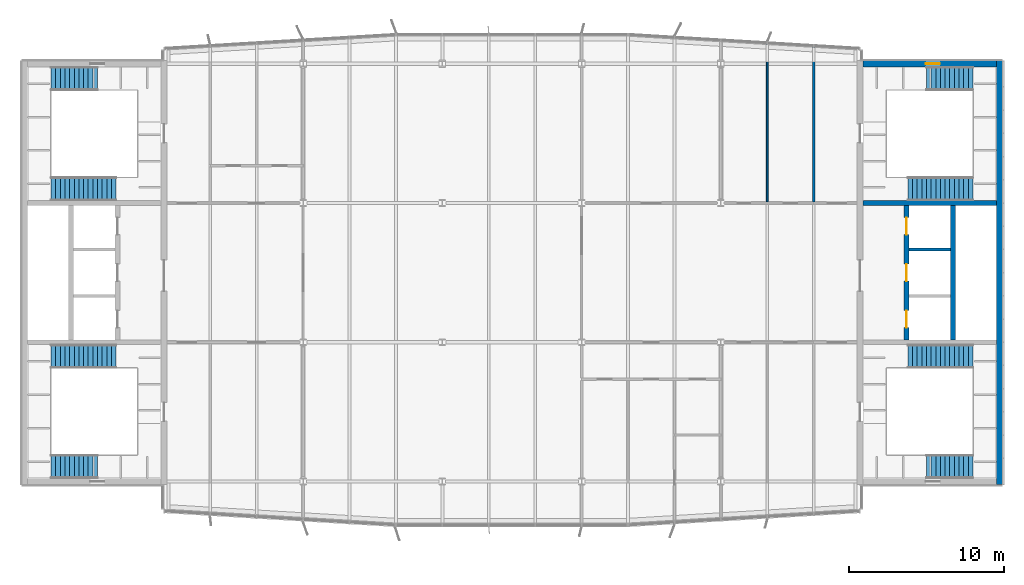
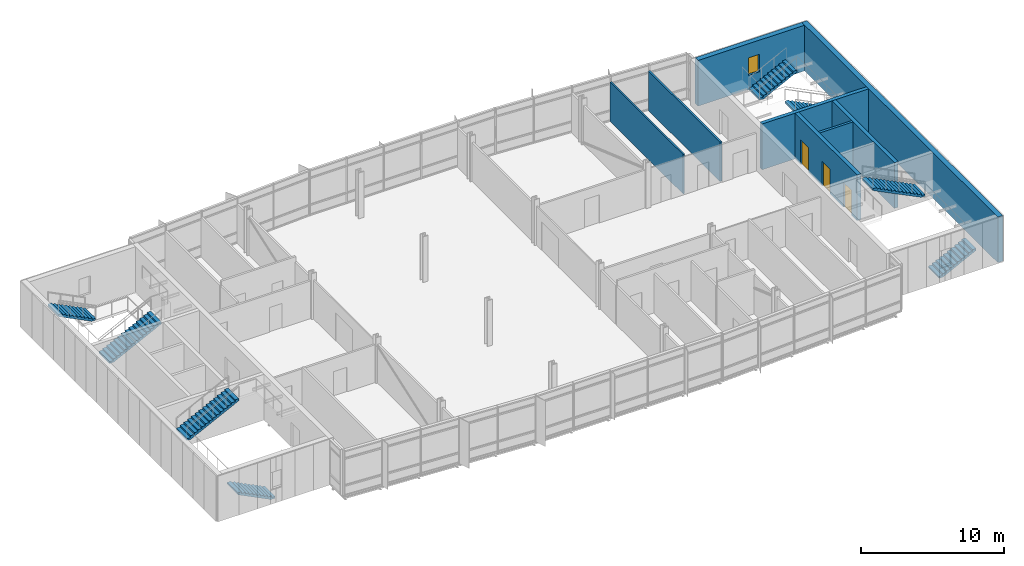
# One storey, part 17 of 21: 8 stair flights, 8 walls, 3 doors, 1 window, 4 openings, 4 elements without a shape of their own.
"""IFC4 building model written with IfcOpenShell, lengths in metres."""

from ifc_helpers import new_model, si_unit, direction, frame, frame_2d, origin, place, context, subcontext, project, spatial, polyline, rectangle, outline, extrude, material, layer, layer_set, type_object, element, fill, aggregate, save


model = new_model("IFC4")

# Units and contexts
model_context = context("Model", 3, precision=1e-05, world=origin(), true_north=direction((0.0, 1.0)))
body_context = subcontext(model_context, "Body", "Model", "MODEL_VIEW")
ifc_project = project(units=[si_unit("LENGTHUNIT", "METRE"), si_unit("AREAUNIT", "SQUARE_METRE"), si_unit("VOLUMEUNIT", "CUBIC_METRE"), si_unit("PLANEANGLEUNIT", "RADIAN"), si_unit("MASSUNIT", "GRAM", prefix="KILO")], contexts=[model_context])

# Site, building, storey
site_placement = place(None, origin())
site = spatial("IfcSite", under=ifc_project, at=site_placement, CompositionType="ELEMENT")
building_placement = place(site_placement, origin())
building = spatial("IfcBuilding", under=site, at=building_placement, Name="Azimuth Sports and Learning Centre", CompositionType="ELEMENT")
storey_placement = place(building_placement, frame((0.0, 0.0, 32.39990234375)))
storey = spatial("IfcBuildingStorey", under=building, at=storey_placement, Name="L06", CompositionType="ELEMENT", Elevation=32.39990234375)

# Walls
ifc_material_1 = material(Name="Dense masonry blockwork", Category="masonry")
ifc_layer_1 = layer(ifc_material_1, 0.199951171875)
ifc_layer_set_1 = layer_set([ifc_layer_1], Name="Dense masonry blockwork")
wall_type_1 = type_object("IfcWallType", Name="Blockwork wall 200 EI 120", PredefinedType="SOLIDWALL", material=ifc_layer_set_1)
wall_1_placement = place(storey_placement, frame((111.14990234375, 105.0, 0.0), z_axis=(0.0, 0.0, 1.0), x_axis=(1.0, 0.0, 0.0)))
element("IfcWall", 1, at=wall_1_placement, inside=storey, type_object=wall_type_1, Name="SD-E-2-L06", PredefinedType="SOLIDWALL", context=body_context, shape_type="SweptSolid", body=[
    extrude(rectangle(XDim=2.7001953125, YDim=0.199951171875, at=frame_2d((1.35009765625, 0.0))), origin(), (0.0, 0.0, 1.0), 3.900146484375),
])
ifc_material_2 = material(Name="Gypsum board on steel studs, acoustic", Category="steel")
ifc_layer_2 = layer(ifc_material_2, 0.125)
ifc_layer_set_2 = layer_set([ifc_layer_2], Name="Gypsum board on steel studs, acoustic")
wall_type_2 = type_object("IfcWallType", Name="Partition 125 EI 60", PredefinedType="PARTITIONING", material=ifc_layer_set_2)
wall_2_placement = place(storey_placement, frame((102.0, 108.050048828125, 0.0), z_axis=(0.0, 0.0, 1.0), x_axis=(0.0, 1.0, 0.0)))
element("IfcWall", 2, at=wall_2_placement, inside=storey, type_object=wall_type_2, Name="Partition Cleaner Store 06.20 / Administration Office 06.21", PredefinedType="PARTITIONING", context=body_context, shape_type="SweptSolid", body=[
    extrude(rectangle(XDim=10.2099609375, YDim=0.125, at=frame_2d((5.10498046875, 0.0))), origin(), (0.0, 0.0, 1.0), 3.3701171875),
])
ifc_material_3 = material(Name="Lightweight blockwork, rendered", Category="masonry")
ifc_layer_3 = layer(ifc_material_3, 0.14990234375)
ifc_layer_set_3 = layer_set([ifc_layer_3], Name="Lightweight blockwork, rendered")
wall_type_3 = type_object("IfcWallType", Name="Partition 150 EI 60", PredefinedType="PARTITIONING", material=ifc_layer_set_3)
wall_3_placement = place(storey_placement, frame((105.0, 108.074951171875, 0.0), z_axis=(0.0, 0.0, 1.0), x_axis=(0.0, 1.0, 0.0)))
element("IfcWall", 3, at=wall_3_placement, inside=storey, type_object=wall_type_3, Name="Partition Stair Lobby E2 06.04 / Administration Office 06.21", PredefinedType="PARTITIONING", context=body_context, shape_type="SweptSolid", body=[
    extrude(rectangle(XDim=10.005126953125, YDim=0.14990234375, at=frame_2d((5.00244140625, 0.0))), origin(), (0.0, 0.0, 1.0), 3.3701171875),
])
ifc_material_4 = material(Name="Concrete C40/50", Category="concrete")
ifc_layer_4 = layer(ifc_material_4, 0.300048828125)
ifc_layer_set_4 = layer_set([ifc_layer_4], Name="Concrete C40/50")
wall_type_4 = type_object("IfcWallType", Name="RC core wall 300", PredefinedType="SHEAR", material=ifc_layer_set_4)
wall_4_placement = place(storey_placement, frame((108.199951171875, 108.0, 0.0), z_axis=(0.0, 0.0, 1.0), x_axis=(1.0, 0.0, 0.0)))
element("IfcWall", 4, at=wall_4_placement, inside=storey, type_object=wall_type_4, Name="Core wall E D2 L06", PredefinedType="SHEAR", context=body_context, shape_type="SweptSolid", body=[
    extrude(rectangle(XDim=8.60009765625, YDim=0.300048828125, at=frame_2d((4.300048828125, 0.0))), origin(), (0.0, 0.0, 1.0), 3.900146484375),
])

# Wall, openings, doors
wall_5_placement = place(storey_placement, frame((111.0, 99.14990234375, 0.0), z_axis=(0.0, 0.0, 1.0), x_axis=(0.0, 1.0, 0.0)))
wall_5 = element("IfcWall", 5, at=wall_5_placement, inside=storey, type_object=wall_type_4, Name="Core wall E LB1 L06", PredefinedType="SHEAR", context=body_context, shape_type="SweptSolid", body=[
    extrude(rectangle(XDim=8.7001953125, YDim=0.300048828125, at=frame_2d((4.35009765625, 0.0))), origin(), (0.0, 0.0, 1.0), 3.900146484375),
])
opening_1_placement = place(wall_5_placement, frame((0.800048828125, 0.0, 0.0)))
opening_1 = element("IfcOpeningElement", 6, at=opening_1_placement, cuts=wall_5, Name="Opening D06-008", PredefinedType="OPENING", context=body_context, shape_type="SweptSolid", body=[
    extrude(rectangle(XDim=1.10009765625, YDim=2.10009765625, at=frame_2d((0.550048828125, 1.050048828125))), frame((0.0, 0.1611328125, 0.0), z_axis=(0.0, -1.0, 0.0), x_axis=(1.0, 0.0, 0.0)), (0.0, 0.0, 1.0), 0.322021484375),
])
opening_2_placement = place(wall_5_placement, frame((3.800048828125, 0.0, 0.0)))
opening_2 = element("IfcOpeningElement", 7, at=opening_2_placement, cuts=wall_5, Name="Opening D06-009", PredefinedType="OPENING", context=body_context, shape_type="SweptSolid", body=[
    extrude(rectangle(XDim=1.10009765625, YDim=2.10009765625, at=frame_2d((0.550048828125, 1.050048828125))), frame((0.0, 0.1611328125, 0.0), z_axis=(0.0, -1.0, 0.0), x_axis=(1.0, 0.0, 0.0)), (0.0, 0.0, 1.0), 0.322021484375),
])
opening_3_placement = place(wall_5_placement, frame((6.800048828125, 0.0, 0.0)))
opening_3 = element("IfcOpeningElement", 8, at=opening_3_placement, cuts=wall_5, Name="Opening D06-010", PredefinedType="OPENING", context=body_context, shape_type="SweptSolid", body=[
    extrude(rectangle(XDim=1.10009765625, YDim=2.10009765625, at=frame_2d((0.550048828125, 1.050048828125))), frame((0.0, 0.1611328125, 0.0), z_axis=(0.0, -1.0, 0.0), x_axis=(1.0, 0.0, 0.0)), (0.0, 0.0, 1.0), 0.322021484375),
])
ifc_material_5 = material(Name="Stainless steel", Category="steel")
door_type = type_object("IfcDoorType", Name="Lift landing door 1100 x 2100", OperationType="DOUBLE_DOOR_SLIDING", PredefinedType="DOOR", material=ifc_material_5)
door_1_placement = place(opening_1_placement, origin())
door_1 = element("IfcDoor", 9, at=door_1_placement, inside=storey, type_object=door_type, Name="Landing door LE1 L06", OperationType="DOUBLE_DOOR_SLIDING", OverallHeight=2.10009765625, OverallWidth=1.10009765625, PredefinedType="DOOR", context=body_context, shape_type="SweptSolid", body=[
    extrude(rectangle(XDim=1.10009765625, YDim=2.10009765625, at=frame_2d((0.550048828125, 1.050048828125))), frame((0.0, 0.02490234375, 0.0), z_axis=(0.0, -1.0, 0.0), x_axis=(1.0, 0.0, 0.0)), (0.0, 0.0, 1.0), 0.050048828125),
])
fill(opening_1, door_1)
door_2_placement = place(opening_2_placement, origin())
door_2 = element("IfcDoor", 10, at=door_2_placement, inside=storey, type_object=door_type, Name="Landing door LE2 L06", OperationType="DOUBLE_DOOR_SLIDING", OverallHeight=2.10009765625, OverallWidth=1.10009765625, PredefinedType="DOOR", context=body_context, shape_type="SweptSolid", body=[
    extrude(rectangle(XDim=1.10009765625, YDim=2.10009765625, at=frame_2d((0.550048828125, 1.050048828125))), frame((0.0, 0.02490234375, 0.0), z_axis=(0.0, -1.0, 0.0), x_axis=(1.0, 0.0, 0.0)), (0.0, 0.0, 1.0), 0.050048828125),
])
fill(opening_2, door_2)
door_3_placement = place(opening_3_placement, origin())
door_3 = element("IfcDoor", 11, at=door_3_placement, inside=storey, type_object=door_type, Name="Landing door LE3 L06", OperationType="DOUBLE_DOOR_SLIDING", OverallHeight=2.10009765625, OverallWidth=1.10009765625, PredefinedType="DOOR", context=body_context, shape_type="SweptSolid", body=[
    extrude(rectangle(XDim=1.10009765625, YDim=2.10009765625, at=frame_2d((0.550048828125, 1.050048828125))), frame((0.0, 0.02490234375, 0.0), z_axis=(0.0, -1.0, 0.0), x_axis=(1.0, 0.0, 0.0)), (0.0, 0.0, 1.0), 0.050048828125),
])
fill(opening_3, door_3)

# Wall
wall_6_placement = place(storey_placement, frame((114.0, 99.14990234375, 0.0), z_axis=(0.0, 0.0, 1.0), x_axis=(0.0, 1.0, 0.0)))
element("IfcWall", 12, at=wall_6_placement, inside=storey, type_object=wall_type_4, Name="Core wall E LB2 L06", PredefinedType="SHEAR", context=body_context, shape_type="SweptSolid", body=[
    extrude(rectangle(XDim=8.7001953125, YDim=0.300048828125, at=frame_2d((4.35009765625, 0.0))), origin(), (0.0, 0.0, 1.0), 3.900146484375),
])

# Wall, opening, window
ifc_material_6 = material(Name="Concrete C40/50", Category="concrete")
ifc_layer_5 = layer(ifc_material_6, 0.39990234375)
ifc_layer_set_5 = layer_set([ifc_layer_5], Name="Concrete C40/50")
wall_type_5 = type_object("IfcWallType", Name="RC external core wall 400", PredefinedType="SHEAR", material=ifc_layer_set_5)
wall_7_placement = place(storey_placement, frame((108.199951171875, 117.0, 0.0), z_axis=(0.0, 0.0, 1.0), x_axis=(1.0, 0.0, 0.0)))
wall_7 = element("IfcWall", 13, at=wall_7_placement, inside=storey, type_object=wall_type_5, Name="Core wall E N L06", PredefinedType="SHEAR", context=body_context, shape_type="SweptSolid", body=[
    extrude(rectangle(XDim=8.60009765625, YDim=0.39990234375, at=frame_2d((4.300048828125, 0.0))), origin(), (0.0, 0.0, 1.0), 3.900146484375),
])
opening_4_placement = place(wall_7_placement, frame((4.050048828125, 0.0, 1.199951171875)))
opening_4 = element("IfcOpeningElement", 14, at=opening_4_placement, cuts=wall_7, Name="Opening W06-003", PredefinedType="OPENING", context=body_context, shape_type="SweptSolid", body=[
    extrude(rectangle(XDim=0.89990234375, YDim=1.5, at=frame_2d((0.449951171875, 0.75))), frame((0.0, 0.2109375, 0.0), z_axis=(0.0, -1.0, 0.0), x_axis=(1.0, 0.0, 0.0)), (0.0, 0.0, 1.0), 0.421875),
])
ifc_material_7 = material(Name="Aluminium and glass", Category="aluminium")
window_type = type_object("IfcWindowType", Name="Stair window tower core 900x1500", PartitioningType="SINGLE_PANEL", PredefinedType="WINDOW", material=ifc_material_7)
window_placement = place(opening_4_placement, origin())
window = element("IfcWindow", 15, at=window_placement, inside=storey, type_object=window_type, Name="Window W06-003", OverallHeight=1.5, OverallWidth=0.89990234375, PartitioningType="SINGLE_PANEL", PredefinedType="WINDOW", context=body_context, shape_type="SweptSolid", body=[
    extrude(rectangle(XDim=0.89990234375, YDim=1.5, at=frame_2d((0.449951171875, 0.75))), frame((0.0, 0.030029296875, 0.0), z_axis=(0.0, -1.0, 0.0), x_axis=(1.0, 0.0, 0.0)), (0.0, 0.0, 1.0), 0.06005859375),
])
fill(opening_4, window)

# Wall
wall_8_placement = place(storey_placement, frame((117.0, 89.800048828125, 0.0), z_axis=(0.0, 0.0, 1.0), x_axis=(0.0, 1.0, 0.0)))
element("IfcWall", 16, at=wall_8_placement, inside=storey, type_object=wall_type_5, Name="Core wall E E L06", PredefinedType="SHEAR", context=body_context, shape_type="SweptSolid", body=[
    extrude(rectangle(XDim=27.39990234375, YDim=0.39990234375, at=frame_2d((13.699951171875, 0.0))), origin(), (0.0, 0.0, 1.0), 3.900146484375),
])

# Stair, stair flight
ifc_material_8 = material(Name="Concrete C32/40", Category="concrete")
stair_type = type_object("IfcStairType", Name="Square-well stair core 3900 storey", PredefinedType="THREE_QUARTER_TURN_STAIR", material=ifc_material_8)
stair_1_placement = place(storey_placement, origin())
stair_1 = element("IfcStair", 17, at=stair_1_placement, inside=storey, type_object=stair_type, Name="Stair W1 L06-L07", PredefinedType="THREE_QUARTER_TURN_STAIR")
ifc_material_9 = material(Name="Concrete C32/40", Category="concrete")
stair_flight_type_1 = type_object("IfcStairFlightType", Name="Stair flight 11 risers", PredefinedType="STRAIGHT", material=ifc_material_9)
stair_flight_1_placement = place(storey_placement, frame((58.7099609375, 90.9599609375, 0.0), z_axis=(0.0, 0.0, 1.0), x_axis=(-1.0, 0.0, 0.0)))
stair_flight_1 = element("IfcStairFlight", 18, at=stair_flight_1_placement, type_object=stair_flight_type_1, Name="Stair W1 L06 flight 1", NumberOfRisers=11, NumberOfTreads=10, PredefinedType="STRAIGHT", RiserHeight=0.15, TreadLength=0.3, context=body_context, shape_type="SweptSolid", body=[
    extrude(outline(polyline([(0.0, 0.0), (0.0, 0.14990234375), (0.300048828125, 0.14990234375), (0.300048828125, 0.300048828125), (0.60009765625, 0.300048828125), (0.60009765625, 0.449951171875), (0.89990234375, 0.449951171875), (0.89990234375, 0.60009765625), (1.199951171875, 0.60009765625), (1.199951171875, 0.75), (1.5, 0.75), (1.5, 0.89990234375), (1.800048828125, 0.89990234375), (1.800048828125, 1.050048828125), (2.10009765625, 1.050048828125), (2.10009765625, 1.199951171875), (2.39990234375, 1.199951171875), (2.39990234375, 1.35009765625), (2.699951171875, 1.35009765625), (2.699951171875, 1.5), (3.0, 1.5), (3.0, 1.64990234375), (3.0, 1.33251953125), (0.335205078125, 0.0), (0.0, 0.0)])), frame((0.0, 0.75, 0.0), z_axis=(0.0, -1.0, 0.0), x_axis=(1.0, 0.0, 0.0)), (0.0, 0.0, 1.0), 1.5),
])

stair_2_placement = place(storey_placement, origin())
stair_2 = element("IfcStair", 19, at=stair_2_placement, inside=storey, type_object=stair_type, Name="Stair W2 L06-L07", PredefinedType="THREE_QUARTER_TURN_STAIR")
stair_flight_2_placement = place(storey_placement, frame((58.7099609375, 116.0400390625, 0.0), z_axis=(0.0, 0.0, 1.0), x_axis=(-1.0, 0.0, 0.0)))
stair_flight_2 = element("IfcStairFlight", 20, at=stair_flight_2_placement, type_object=stair_flight_type_1, Name="Stair W2 L06 flight 1", NumberOfRisers=11, NumberOfTreads=10, PredefinedType="STRAIGHT", RiserHeight=0.15, TreadLength=0.3, context=body_context, shape_type="SweptSolid", body=[
    extrude(outline(polyline([(0.0, 0.0), (0.0, 0.14990234375), (0.300048828125, 0.14990234375), (0.300048828125, 0.300048828125), (0.60009765625, 0.300048828125), (0.60009765625, 0.449951171875), (0.89990234375, 0.449951171875), (0.89990234375, 0.60009765625), (1.199951171875, 0.60009765625), (1.199951171875, 0.75), (1.5, 0.75), (1.5, 0.89990234375), (1.800048828125, 0.89990234375), (1.800048828125, 1.050048828125), (2.10009765625, 1.050048828125), (2.10009765625, 1.199951171875), (2.39990234375, 1.199951171875), (2.39990234375, 1.35009765625), (2.699951171875, 1.35009765625), (2.699951171875, 1.5), (3.0, 1.5), (3.0, 1.64990234375), (3.0, 1.33251953125), (0.335205078125, 0.0), (0.0, 0.0)])), frame((0.0, 0.75, 0.0), z_axis=(0.0, -1.0, 0.0), x_axis=(1.0, 0.0, 0.0)), (0.0, 0.0, 1.0), 1.5),
])

stair_3_placement = place(storey_placement, origin())
stair_3 = element("IfcStair", 21, at=stair_3_placement, inside=storey, type_object=stair_type, Name="Stair E1 L06-L07", PredefinedType="THREE_QUARTER_TURN_STAIR")
stair_flight_3_placement = place(storey_placement, frame((112.2900390625, 90.9599609375, 0.0), z_axis=(0.0, 0.0, 1.0), x_axis=(1.0, 0.0, 0.0)))
stair_flight_3 = element("IfcStairFlight", 22, at=stair_flight_3_placement, type_object=stair_flight_type_1, Name="Stair E1 L06 flight 1", NumberOfRisers=11, NumberOfTreads=10, PredefinedType="STRAIGHT", RiserHeight=0.15, TreadLength=0.3, context=body_context, shape_type="SweptSolid", body=[
    extrude(outline(polyline([(0.0, 0.0), (0.0, 0.14990234375), (0.300048828125, 0.14990234375), (0.300048828125, 0.300048828125), (0.60009765625, 0.300048828125), (0.60009765625, 0.449951171875), (0.89990234375, 0.449951171875), (0.89990234375, 0.60009765625), (1.199951171875, 0.60009765625), (1.199951171875, 0.75), (1.5, 0.75), (1.5, 0.89990234375), (1.800048828125, 0.89990234375), (1.800048828125, 1.050048828125), (2.10009765625, 1.050048828125), (2.10009765625, 1.199951171875), (2.39990234375, 1.199951171875), (2.39990234375, 1.35009765625), (2.699951171875, 1.35009765625), (2.699951171875, 1.5), (3.0, 1.5), (3.0, 1.64990234375), (3.0, 1.33251953125), (0.335205078125, 0.0), (0.0, 0.0)])), frame((0.0, 0.75, 0.0), z_axis=(0.0, -1.0, 0.0), x_axis=(1.0, 0.0, 0.0)), (0.0, 0.0, 1.0), 1.5),
])

stair_4_placement = place(storey_placement, origin())
stair_4 = element("IfcStair", 23, at=stair_4_placement, inside=storey, type_object=stair_type, Name="Stair E2 L06-L07", PredefinedType="THREE_QUARTER_TURN_STAIR")
stair_flight_4_placement = place(storey_placement, frame((112.2900390625, 116.0400390625, 0.0), z_axis=(0.0, 0.0, 1.0), x_axis=(1.0, 0.0, 0.0)))
stair_flight_4 = element("IfcStairFlight", 24, at=stair_flight_4_placement, type_object=stair_flight_type_1, Name="Stair E2 L06 flight 1", NumberOfRisers=11, NumberOfTreads=10, PredefinedType="STRAIGHT", RiserHeight=0.15, TreadLength=0.3, context=body_context, shape_type="SweptSolid", body=[
    extrude(outline(polyline([(0.0, 0.0), (0.0, 0.14990234375), (0.300048828125, 0.14990234375), (0.300048828125, 0.300048828125), (0.60009765625, 0.300048828125), (0.60009765625, 0.449951171875), (0.89990234375, 0.449951171875), (0.89990234375, 0.60009765625), (1.199951171875, 0.60009765625), (1.199951171875, 0.75), (1.5, 0.75), (1.5, 0.89990234375), (1.800048828125, 0.89990234375), (1.800048828125, 1.050048828125), (2.10009765625, 1.050048828125), (2.10009765625, 1.199951171875), (2.39990234375, 1.199951171875), (2.39990234375, 1.35009765625), (2.699951171875, 1.35009765625), (2.699951171875, 1.5), (3.0, 1.5), (3.0, 1.64990234375), (3.0, 1.33251953125), (0.335205078125, 0.0), (0.0, 0.0)])), frame((0.0, 0.75, 0.0), z_axis=(0.0, -1.0, 0.0), x_axis=(1.0, 0.0, 0.0)), (0.0, 0.0, 1.0), 1.5),
])

# Stair flight
ifc_material_10 = material(Name="Concrete C32/40", Category="concrete")
stair_flight_type_2 = type_object("IfcStairFlightType", Name="Stair flight 15 risers", PredefinedType="STRAIGHT", material=ifc_material_10)
stair_flight_5_placement = place(storey_placement, frame((55.7099609375, 98.090087890625, 1.650146484375), z_axis=(0.0, 0.0, 1.0), x_axis=(1.0, 0.0, 0.0)))
stair_flight_5 = element("IfcStairFlight", 25, at=stair_flight_5_placement, type_object=stair_flight_type_2, Name="Stair W1 L06 flight 2", NumberOfRisers=15, NumberOfTreads=14, PredefinedType="STRAIGHT", RiserHeight=0.15, TreadLength=0.3, context=body_context, shape_type="SweptSolid", body=[
    extrude(outline(polyline([(0.0, 0.0), (0.0, 0.14990234375), (0.300048828125, 0.14990234375), (0.300048828125, 0.300048828125), (0.60009765625, 0.300048828125), (0.60009765625, 0.449951171875), (0.89990234375, 0.449951171875), (0.89990234375, 0.60009765625), (1.199951171875, 0.60009765625), (1.199951171875, 0.75), (1.5, 0.75), (1.5, 0.89990234375), (1.800048828125, 0.89990234375), (1.800048828125, 1.050048828125), (2.10009765625, 1.050048828125), (2.10009765625, 1.199951171875), (2.39990234375, 1.199951171875), (2.39990234375, 1.35009765625), (2.699951171875, 1.35009765625), (2.699951171875, 1.5), (3.0, 1.5), (3.0, 1.64990234375), (3.300048828125, 1.64990234375), (3.300048828125, 1.800048828125), (3.60009765625, 1.800048828125), (3.60009765625, 1.949951171875), (3.89990234375, 1.949951171875), (3.89990234375, 2.10009765625), (4.199951171875, 2.10009765625), (4.199951171875, 2.25), (4.199951171875, 1.932373046875), (0.335205078125, 0.0), (0.0, 0.0)])), frame((0.0, 0.75, 0.0), z_axis=(0.0, -1.0, 0.0), x_axis=(1.0, 0.0, 0.0)), (0.0, 0.0, 1.0), 1.5),
])

aggregate(stair_1, [stair_flight_1, stair_flight_5])

stair_flight_6_placement = place(storey_placement, frame((55.7099609375, 108.909912109375, 1.650146484375), z_axis=(0.0, 0.0, 1.0), x_axis=(1.0, 0.0, 0.0)))
stair_flight_6 = element("IfcStairFlight", 26, at=stair_flight_6_placement, type_object=stair_flight_type_2, Name="Stair W2 L06 flight 2", NumberOfRisers=15, NumberOfTreads=14, PredefinedType="STRAIGHT", RiserHeight=0.15, TreadLength=0.3, context=body_context, shape_type="SweptSolid", body=[
    extrude(outline(polyline([(0.0, 0.0), (0.0, 0.14990234375), (0.300048828125, 0.14990234375), (0.300048828125, 0.300048828125), (0.60009765625, 0.300048828125), (0.60009765625, 0.449951171875), (0.89990234375, 0.449951171875), (0.89990234375, 0.60009765625), (1.199951171875, 0.60009765625), (1.199951171875, 0.75), (1.5, 0.75), (1.5, 0.89990234375), (1.800048828125, 0.89990234375), (1.800048828125, 1.050048828125), (2.10009765625, 1.050048828125), (2.10009765625, 1.199951171875), (2.39990234375, 1.199951171875), (2.39990234375, 1.35009765625), (2.699951171875, 1.35009765625), (2.699951171875, 1.5), (3.0, 1.5), (3.0, 1.64990234375), (3.300048828125, 1.64990234375), (3.300048828125, 1.800048828125), (3.60009765625, 1.800048828125), (3.60009765625, 1.949951171875), (3.89990234375, 1.949951171875), (3.89990234375, 2.10009765625), (4.199951171875, 2.10009765625), (4.199951171875, 2.25), (4.199951171875, 1.932373046875), (0.335205078125, 0.0), (0.0, 0.0)])), frame((0.0, 0.75, 0.0), z_axis=(0.0, -1.0, 0.0), x_axis=(1.0, 0.0, 0.0)), (0.0, 0.0, 1.0), 1.5),
])

aggregate(stair_2, [stair_flight_2, stair_flight_6])

stair_flight_7_placement = place(storey_placement, frame((115.2900390625, 98.090087890625, 1.650146484375), z_axis=(0.0, 0.0, 1.0), x_axis=(-1.0, 0.0, 0.0)))
stair_flight_7 = element("IfcStairFlight", 27, at=stair_flight_7_placement, type_object=stair_flight_type_2, Name="Stair E1 L06 flight 2", NumberOfRisers=15, NumberOfTreads=14, PredefinedType="STRAIGHT", RiserHeight=0.15, TreadLength=0.3, context=body_context, shape_type="SweptSolid", body=[
    extrude(outline(polyline([(0.0, 0.0), (0.0, 0.14990234375), (0.300048828125, 0.14990234375), (0.300048828125, 0.300048828125), (0.60009765625, 0.300048828125), (0.60009765625, 0.449951171875), (0.89990234375, 0.449951171875), (0.89990234375, 0.60009765625), (1.199951171875, 0.60009765625), (1.199951171875, 0.75), (1.5, 0.75), (1.5, 0.89990234375), (1.800048828125, 0.89990234375), (1.800048828125, 1.050048828125), (2.10009765625, 1.050048828125), (2.10009765625, 1.199951171875), (2.39990234375, 1.199951171875), (2.39990234375, 1.35009765625), (2.699951171875, 1.35009765625), (2.699951171875, 1.5), (3.0, 1.5), (3.0, 1.64990234375), (3.300048828125, 1.64990234375), (3.300048828125, 1.800048828125), (3.60009765625, 1.800048828125), (3.60009765625, 1.949951171875), (3.89990234375, 1.949951171875), (3.89990234375, 2.10009765625), (4.199951171875, 2.10009765625), (4.199951171875, 2.25), (4.199951171875, 1.932373046875), (0.335205078125, 0.0), (0.0, 0.0)])), frame((0.0, 0.75, 0.0), z_axis=(0.0, -1.0, 0.0), x_axis=(1.0, 0.0, 0.0)), (0.0, 0.0, 1.0), 1.5),
])

aggregate(stair_3, [stair_flight_3, stair_flight_7])

stair_flight_8_placement = place(storey_placement, frame((115.2900390625, 108.909912109375, 1.650146484375), z_axis=(0.0, 0.0, 1.0), x_axis=(-1.0, 0.0, 0.0)))
stair_flight_8 = element("IfcStairFlight", 28, at=stair_flight_8_placement, type_object=stair_flight_type_2, Name="Stair E2 L06 flight 2", NumberOfRisers=15, NumberOfTreads=14, PredefinedType="STRAIGHT", RiserHeight=0.15, TreadLength=0.3, context=body_context, shape_type="SweptSolid", body=[
    extrude(outline(polyline([(0.0, 0.0), (0.0, 0.14990234375), (0.300048828125, 0.14990234375), (0.300048828125, 0.300048828125), (0.60009765625, 0.300048828125), (0.60009765625, 0.449951171875), (0.89990234375, 0.449951171875), (0.89990234375, 0.60009765625), (1.199951171875, 0.60009765625), (1.199951171875, 0.75), (1.5, 0.75), (1.5, 0.89990234375), (1.800048828125, 0.89990234375), (1.800048828125, 1.050048828125), (2.10009765625, 1.050048828125), (2.10009765625, 1.199951171875), (2.39990234375, 1.199951171875), (2.39990234375, 1.35009765625), (2.699951171875, 1.35009765625), (2.699951171875, 1.5), (3.0, 1.5), (3.0, 1.64990234375), (3.300048828125, 1.64990234375), (3.300048828125, 1.800048828125), (3.60009765625, 1.800048828125), (3.60009765625, 1.949951171875), (3.89990234375, 1.949951171875), (3.89990234375, 2.10009765625), (4.199951171875, 2.10009765625), (4.199951171875, 2.25), (4.199951171875, 1.932373046875), (0.335205078125, 0.0), (0.0, 0.0)])), frame((0.0, 0.75, 0.0), z_axis=(0.0, -1.0, 0.0), x_axis=(1.0, 0.0, 0.0)), (0.0, 0.0, 1.0), 1.5),
])

aggregate(stair_4, [stair_flight_4, stair_flight_8])

save(model, "model.ifc")
